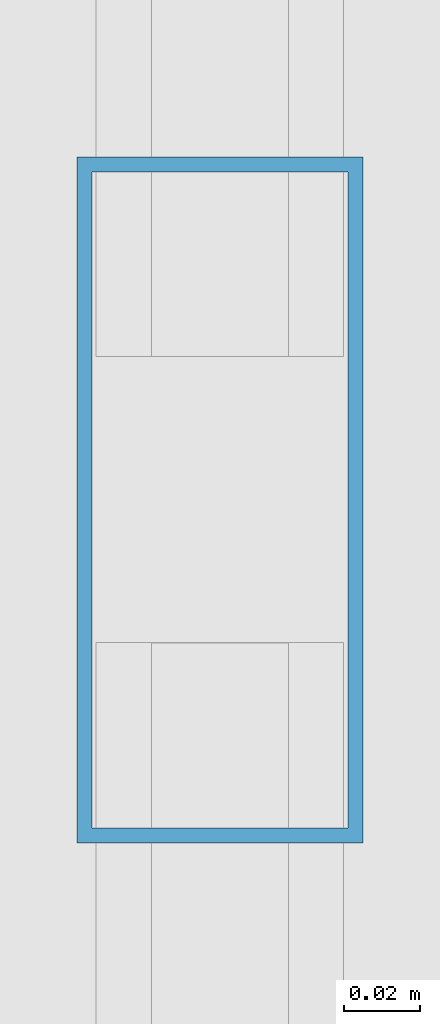
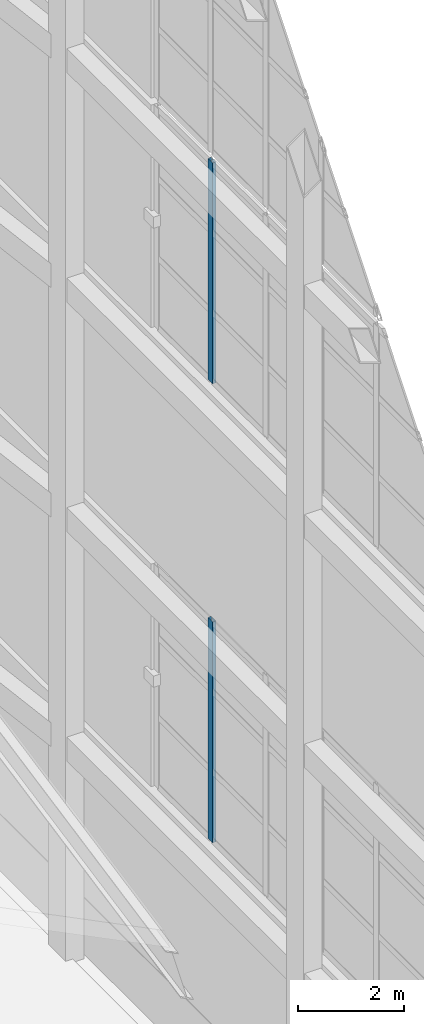
# One storey, part 38 of 47: 2 members, 2 elements without a shape of their own.
"""IFC4 building model written with IfcOpenShell, lengths in metres."""

from ifc_helpers import new_model, si_unit, direction, frame, origin, origin_2d, place, context, subcontext, project, spatial, hollow_rectangle, extrude, material, layer, layer_set, material_profile, profile_set, type_object, element, aggregate, save


model = new_model("IFC4")

# Units and contexts
model_context = context("Model", 3, precision=1e-05, world=origin(), true_north=direction((0.0, 1.0)))
body_context = subcontext(model_context, "Body", "Model", "MODEL_VIEW")
ifc_project = project(units=[si_unit("LENGTHUNIT", "METRE"), si_unit("AREAUNIT", "SQUARE_METRE"), si_unit("VOLUMEUNIT", "CUBIC_METRE"), si_unit("PLANEANGLEUNIT", "RADIAN"), si_unit("MASSUNIT", "GRAM", prefix="KILO")], contexts=[model_context])

# Site, building, storey
site_placement = place(None, origin())
site = spatial("IfcSite", under=ifc_project, at=site_placement, CompositionType="ELEMENT")
building_placement = place(site_placement, origin())
building = spatial("IfcBuilding", under=site, at=building_placement, Name="Qiaolan Cultural Towers", CompositionType="ELEMENT")
storey_placement = place(building_placement, frame((0.0, 0.0, 280.199951171875)))
storey = spatial("IfcBuildingStorey", under=building, at=storey_placement, Name="RF", CompositionType="ELEMENT", Elevation=280.199951171875)

# Curtain wall, member
ifc_material_1 = material(Name="Unitized Anodized Aluminium Curtain Wall System", Category="aluminium")
ifc_layer = layer(ifc_material_1, 0.199951171875)
ifc_layer_set = layer_set([ifc_layer], Name="Unitized Anodized Aluminium Curtain Wall System")
curtain_wall_type = type_object("IfcCurtainWallType", Name="CWS-06", PredefinedType="NOTDEFINED", material=ifc_layer_set)
curtain_wall_1_placement = place(storey_placement, origin())
curtain_wall_1 = element("IfcCurtainWall", 1, at=curtain_wall_1_placement, inside=storey, type_object=curtain_wall_type, Name="T1 Crown Tier 2 Fritted Screen Curtain Wall 3", PredefinedType="NOTDEFINED")
ifc_material_2 = material(Name="Extruded Aluminium 6063-T6", Category="aluminium")
ifc_material_profile = material_profile(ifc_material_2, hollow_rectangle(XDim=0.074951171875, YDim=0.179931640625, WallThickness=0.00390625, at=origin_2d()), Name="CWM-180x75x4")
ifc_profile_set = profile_set([ifc_material_profile], Name="Extruded Aluminium 6063-T6")
member_type = type_object("IfcMemberType", Name="CWS-06-MUL", PredefinedType="MULLION", material=ifc_profile_set)
member_1_placement = place(storey_placement, frame((45.050048828125, 38.179931640625, 5.400146484375), z_axis=(0.0, 0.0, 1.0), x_axis=(-1.0, 0.0, 0.0)))
member_1 = element("IfcMember", 2, at=member_1_placement, type_object=member_type, Name="CW-6 mullion 6", PredefinedType="MULLION", context=body_context, shape_type="SweptSolid", body=[
    extrude(hollow_rectangle(XDim=0.074951171875, YDim=0.179931640625, WallThickness=0.00390625, at=origin_2d()), origin(), (0.0, 0.0, 1.0), 5.099853515625),
])
aggregate(curtain_wall_1, [member_1])

curtain_wall_2_placement = place(storey_placement, origin())
curtain_wall_2 = element("IfcCurtainWall", 3, at=curtain_wall_2_placement, inside=storey, type_object=curtain_wall_type, Name="T1 Crown Tier 4 Fritted Screen Curtain Wall 3", PredefinedType="NOTDEFINED")
member_2_placement = place(storey_placement, frame((45.050048828125, 38.179931640625, 16.0), z_axis=(0.0, 0.0, 1.0), x_axis=(-1.0, 0.0, 0.0)))
member_2 = element("IfcMember", 4, at=member_2_placement, type_object=member_type, Name="CW-6 mullion 6", PredefinedType="MULLION", context=body_context, shape_type="SweptSolid", body=[
    extrude(hollow_rectangle(XDim=0.074951171875, YDim=0.179931640625, WallThickness=0.00390625, at=origin_2d()), origin(), (0.0, 0.0, 1.0), 5.10009765625),
])
aggregate(curtain_wall_2, [member_2])

save(model, "model.ifc")
